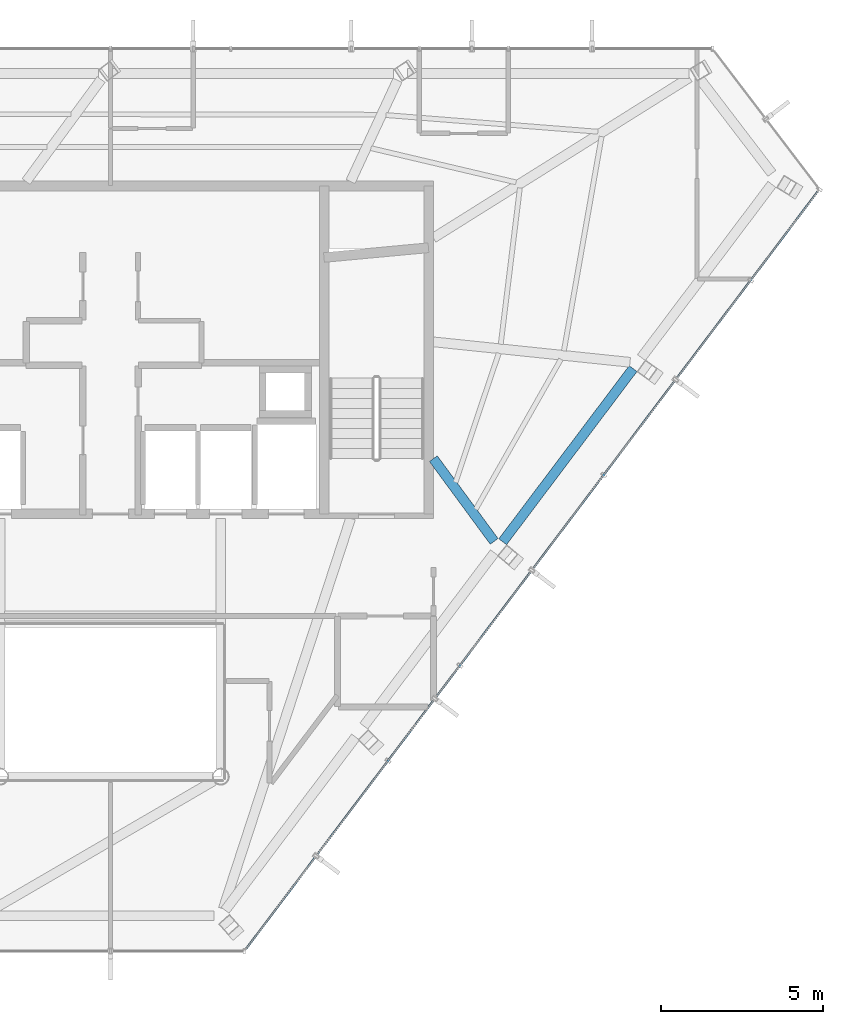
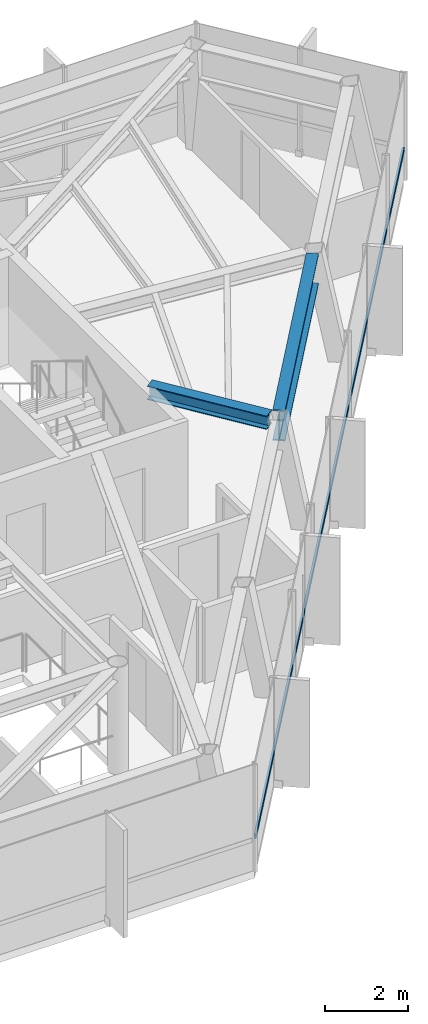
# One storey, part 14 of 21: 2 beams, 1 member, 1 element without a shape of its own.
"""IFC4 building model written with IfcOpenShell, lengths in metres."""

from ifc_helpers import new_model, si_unit, direction, frame, origin, origin_2d, place, context, subcontext, project, spatial, hollow_rectangle, i_section, extrude, material, layer, layer_set, material_profile, profile_set, type_object, element, aggregate, save


model = new_model("IFC4")

# Units and contexts
model_context = context("Model", 3, precision=1e-05, world=origin(), true_north=direction((0.0, 1.0)))
body_context = subcontext(model_context, "Body", "Model", "MODEL_VIEW")
ifc_project = project(units=[si_unit("LENGTHUNIT", "METRE"), si_unit("AREAUNIT", "SQUARE_METRE"), si_unit("VOLUMEUNIT", "CUBIC_METRE"), si_unit("PLANEANGLEUNIT", "RADIAN"), si_unit("MASSUNIT", "GRAM", prefix="KILO")], contexts=[model_context])

# Site, building, storey
site_placement = place(None, origin())
site = spatial("IfcSite", under=ifc_project, at=site_placement, CompositionType="ELEMENT")
building_placement = place(site_placement, origin())
building = spatial("IfcBuilding", under=site, at=building_placement, Name="Zarrinselat Tower", CompositionType="ELEMENT")
storey_placement = place(building_placement, frame((0.0, 0.0, 285.60009765625)))
storey = spatial("IfcBuildingStorey", under=building, at=storey_placement, Name="L73", CompositionType="ELEMENT", Elevation=285.60009765625)

# Beams
ifc_material_1 = material(Name="Steel S355J2", Category="steel")
ifc_material_profile_1 = material_profile(ifc_material_1, i_section(OverallWidth=0.300048828125, OverallDepth=0.39990234375, WebThickness=0.013427734375, FlangeThickness=0.02392578125, at=origin_2d()), Name="HEB 400")
ifc_profile_set_1 = profile_set([ifc_material_profile_1], Name="Steel S355J2")
beam_type_1 = type_object("IfcBeamType", Name="BM-HEB400", PredefinedType="BEAM", material=ifc_profile_set_1)
beam_1_placement = place(storey_placement, frame((48.35009765625, 35.0, 2.97998046875), z_axis=(0.59244054541, -0.805614175741, 0.0), x_axis=(0.805614175741, 0.59244054541, 0.0)))
element("IfcBeam", 1, at=beam_1_placement, inside=storey, type_object=beam_type_1, Name="L73 Radial Primary Girder RG13", PredefinedType="BEAM", context=body_context, shape_type="SweptSolid", body=[
    extrude(i_section(OverallWidth=0.300048828125, OverallDepth=0.39990234375, WebThickness=0.013427734375, FlangeThickness=0.02392578125, at=origin_2d()), origin(), (0.0, 0.0, 1.0), 3.163330078125),
])
ifc_material_2 = material(Name="Steel S460M", Category="steel")
ifc_material_profile_2 = material_profile(ifc_material_2, i_section(OverallWidth=0.302001953125, OverallDepth=0.909912109375, WebThickness=0.02099609375, FlangeThickness=0.0400390625, at=origin_2d()), Name="HEM 900")
ifc_profile_set_2 = profile_set([ifc_material_profile_2], Name="Steel S460M")
beam_type_2 = type_object("IfcBeamType", Name="BM-HEM900", PredefinedType="BEAM", material=ifc_profile_set_2)
beam_2_placement = place(storey_placement, frame((50.48681640625, 32.438720703125, 2.724853515625), z_axis=(0.601664813765, 0.798748678795, 0.0), x_axis=(-0.798748678795, 0.601664813765, 0.0)))
element("IfcBeam", 2, at=beam_2_placement, inside=storey, type_object=beam_type_2, Name="L73 Perimeter Spandrel Girder SP13", PredefinedType="BEAM", context=body_context, shape_type="SweptSolid", body=[
    extrude(i_section(OverallWidth=0.302001953125, OverallDepth=0.909912109375, WebThickness=0.02099609375, FlangeThickness=0.0400390625, at=origin_2d()), origin(), (0.0, 0.0, 1.0), 6.681884765625),
])

# Curtain wall, member
ifc_material_3 = material(Name="Extruded Aluminium Alloy EN AW-6063 T6", Category="aluminium")
ifc_layer = layer(ifc_material_3, 0.199951171875)
ifc_layer_set = layer_set([ifc_layer], Name="Extruded Aluminium Alloy EN AW-6063 T6")
curtain_wall_type = type_object("IfcCurtainWallType", Name="CWS-BLADE", PredefinedType="NOTDEFINED", material=ifc_layer_set)
curtain_wall_placement = place(storey_placement, origin())
curtain_wall = element("IfcCurtainWall", 3, at=curtain_wall_placement, inside=storey, type_object=curtain_wall_type, Name="L73 Unitised Curtain Wall CW-L73-E05", PredefinedType="NOTDEFINED")
ifc_material_4 = material(Name="Extruded Aluminium Alloy EN AW-6063 T6", Category="aluminium")
ifc_material_profile_3 = material_profile(ifc_material_4, hollow_rectangle(XDim=0.06005859375, YDim=0.139892578125, WallThickness=0.00390625, at=origin_2d()), Name="RHS 140x60x4")
ifc_profile_set_3 = profile_set([ifc_material_profile_3], Name="Extruded Aluminium Alloy EN AW-6063 T6")
member_type = type_object("IfcMemberType", Name="MEM-CW-TRN", PredefinedType="USERDEFINED", material=ifc_profile_set_3)
member_placement = place(storey_placement, frame((42.576904296875, 19.890869140625, 0.949951171875), z_axis=(0.602445438851, 0.79816006741, 0.0), x_axis=(-0.79816006741, 0.602445438851, 0.0)))
member = element("IfcMember", 4, at=member_placement, type_object=member_type, Name="CW-L73-E05 Transom 1", ObjectType="TRANSOM", PredefinedType="USERDEFINED", context=body_context, shape_type="SweptSolid", body=[
    extrude(hollow_rectangle(XDim=0.06005859375, YDim=0.139892578125, WallThickness=0.00390625, at=origin_2d()), origin(), (0.0, 0.0, 1.0), 29.24609375),
])
aggregate(curtain_wall, [member])

save(model, "model.ifc")
